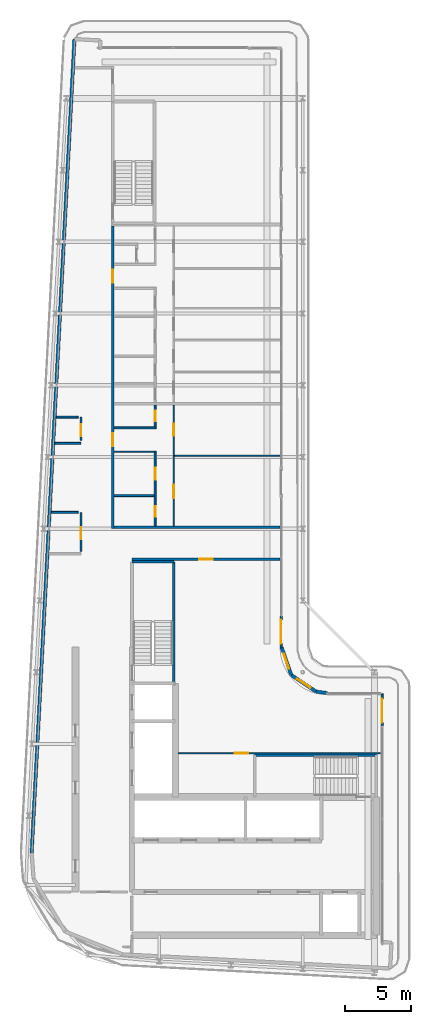
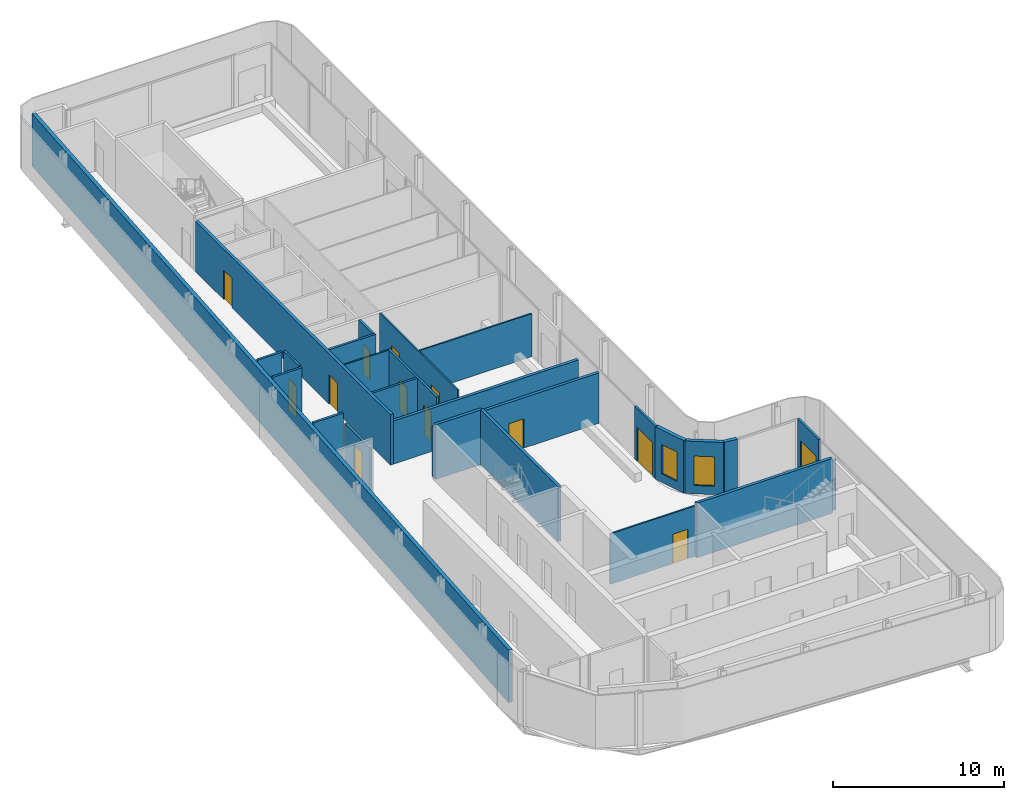
# One storey, part 10 of 19: 25 walls, 13 doors, 2 windows, 15 openings.
"""IFC4 building model written with IfcOpenShell, lengths in metres."""

import ifcopenshell
import ifcopenshell.guid

model = None  # the IFC model being written
_history = None  # IfcOwnerHistory: only IFC2X3 demands one
_inside = {}  # id of a spatial element -> (the spatial element, [elements in it])
_under = {}  # id of a project, library or spatial element -> (it, [spatial elements below it])
_declared = {}  # id of a project -> (the project, [libraries it declares])
_typed = {}  # id of a type object -> (the type object, [elements of that type])
_made_of = {}  # id of a material, layer set ... -> (it, [elements and type objects made of it])


def new_model(schema):
    """Start an empty IFC model of exactly this schema.

    Asked for "IFC4X3", IfcOpenShell would pick the latest addendum, in which some entities
    have other attributes; the version numbers below select the first issue.
    IFC2X3 requires an IfcOwnerHistory on every rooted entity: one is made here for all.
    """
    global model, _history
    if schema == "IFC4X3":
        model = ifcopenshell.file(schema_version=(4, 3, 0, 0))
    else:
        model = ifcopenshell.file(schema=schema)
    _inside.clear()
    _under.clear()
    _declared.clear()
    _typed.clear()
    _made_of.clear()
    _history = None
    if model.schema == "IFC2X3":
        org = make("IfcOrganization", Name="unknown")
        user = make(
            "IfcPersonAndOrganization",
            ThePerson=make("IfcPerson", FamilyName="unknown"),
            TheOrganization=org,
        )
        app = make(
            "IfcApplication",
            ApplicationDeveloper=org,
            Version="unknown",
            ApplicationFullName="unknown",
            ApplicationIdentifier="unknown",
        )
        _history = make(
            "IfcOwnerHistory",
            OwningUser=user,
            OwningApplication=app,
            ChangeAction="ADDED",
            CreationDate=0,
        )
    return model


def make(cls, **values):
    """One entity of the class cls with the attributes given. An attribute that is None is left unset."""
    return model.create_entity(
        cls, **{name: value for name, value in values.items() if value is not None}
    )


def rooted(cls, **values):
    """An entity with a GlobalId (a new one), such as an element, a storey or a relation."""
    return make(cls, GlobalId=ifcopenshell.guid.new(), OwnerHistory=_history, **values)


def si_unit(unit_type, name, prefix=None):
    """IfcSIUnit, for example si_unit("LENGTHUNIT", "METRE", prefix="MILLI")."""
    return make("IfcSIUnit", UnitType=unit_type, Prefix=prefix, Name=name)


def assignment(units):
    """IfcUnitAssignment: the units of a project."""
    return None if units is None else make("IfcUnitAssignment", Units=units)


def point(xyz):
    """IfcCartesianPoint."""
    return None if xyz is None else make("IfcCartesianPoint", Coordinates=xyz)


def direction(xyz):
    """IfcDirection."""
    return None if xyz is None else make("IfcDirection", DirectionRatios=xyz)


def frame(location, z_axis=None, x_axis=None):
    """IfcAxis2Placement3D, a coordinate frame: its origin and axes. An axis left out is left unset."""
    return make(
        "IfcAxis2Placement3D",
        Location=point(location),
        Axis=direction(z_axis),
        RefDirection=direction(x_axis),
    )


def frame_2d(location, x_axis=None):
    """IfcAxis2Placement2D, a coordinate frame in the plane: its origin and x axis."""
    return make(
        "IfcAxis2Placement2D", Location=point(location), RefDirection=direction(x_axis)
    )


def origin():
    """The frame at (0, 0, 0) with its axes left unset."""
    return frame((0.0, 0.0, 0.0))


def place(relative_to, where):
    """IfcLocalPlacement: puts the frame where relative to a parent placement (None: the world)."""
    return make(
        "IfcLocalPlacement", PlacementRelTo=relative_to, RelativePlacement=where
    )


def context(
    kind, dimensions, precision=None, world=None, true_north=None, identifier=None
):
    """IfcGeometricRepresentationContext, for example the 3D "Model" context."""
    return make(
        "IfcGeometricRepresentationContext",
        ContextIdentifier=identifier,
        ContextType=kind,
        CoordinateSpaceDimension=dimensions,
        Precision=precision,
        WorldCoordinateSystem=world,
        TrueNorth=true_north,
    )


def subcontext(parent, identifier, kind, view, scale=None):
    """IfcGeometricRepresentationSubContext, for example "Body" below "Model"."""
    return make(
        "IfcGeometricRepresentationSubContext",
        ContextIdentifier=identifier,
        ContextType=kind,
        ParentContext=parent,
        TargetScale=scale,
        TargetView=view,
    )


def project(units=None, contexts=None):
    """IfcProject with its units and contexts."""
    return rooted(
        "IfcProject",
        Name="project",
        RepresentationContexts=contexts,
        UnitsInContext=assignment(units),
    )


def spatial(cls, under=None, at=None, **own):
    """A site, building, storey or space (cls), placed at a placement, below another one or the project."""
    s = rooted(cls, ObjectPlacement=at, **own)
    if under is not None:
        _under.setdefault(under.id(), (under, []))[1].append(s)
    return s


def profile(cls, at=None, kind="AREA", **sizes):
    """A parametric profile (cls). Its sizes go by their IFC names, for example OverallWidth=200.0."""
    return make(cls, ProfileType=kind, Position=at, **sizes)


def rectangle(**sizes):
    """IfcRectangleProfileDef."""
    return profile("IfcRectangleProfileDef", **sizes)


def extrude(swept, where, along, depth):
    """IfcExtrudedAreaSolid: the profile swept, set in the frame where, extruded along a direction by depth."""
    return make(
        "IfcExtrudedAreaSolid",
        SweptArea=swept,
        Position=where,
        ExtrudedDirection=direction(along),
        Depth=depth,
    )


def shape(context_of_items, identifier, shape_type, items):
    """IfcShapeRepresentation: the items that make up one representation, for example the "Body"."""
    return make(
        "IfcShapeRepresentation",
        ContextOfItems=context_of_items,
        RepresentationIdentifier=identifier,
        RepresentationType=shape_type,
        Items=items,
    )


def source(mapping_origin, context_of_items, identifier, shape_type, items):
    """IfcRepresentationMap: a shape defined once, which mapped items show again and again."""
    return make(
        "IfcRepresentationMap",
        MappingOrigin=mapping_origin,
        MappedRepresentation=shape(context_of_items, identifier, shape_type, items),
    )


def transform(
    local_origin,
    x_axis=None,
    y_axis=None,
    z_axis=None,
    scale=None,
    scale2=None,
    scale3=None,
    uniform=True,
):
    """IfcCartesianTransformationOperator3D, or its non-uniform kind. x_axis, y_axis, z_axis: its Axis1, 2, 3."""
    if uniform:
        return make(
            "IfcCartesianTransformationOperator3D",
            Axis1=direction(x_axis),
            Axis2=direction(y_axis),
            LocalOrigin=point(local_origin),
            Scale=scale,
            Axis3=direction(z_axis),
        )
    return make(
        "IfcCartesianTransformationOperator3DnonUniform",
        Axis1=direction(x_axis),
        Axis2=direction(y_axis),
        LocalOrigin=point(local_origin),
        Scale=scale,
        Axis3=direction(z_axis),
        Scale2=scale2,
        Scale3=scale3,
    )


def mapped(mapping_source, mapping_target):
    """IfcMappedItem: shows the shape of a source again, moved by a transform."""
    return make(
        "IfcMappedItem", MappingSource=mapping_source, MappingTarget=mapping_target
    )


def material(Name=None, Category=None):
    """IfcMaterial."""
    return make("IfcMaterial", Name=Name, Category=Category)


def layer(
    of_material, thickness, ventilated=None, Name=None, Category=None, Priority=None
):
    """IfcMaterialLayer: one layer of a wall or slab, of a material (None: an air gap)."""
    return make(
        "IfcMaterialLayer",
        Material=of_material,
        LayerThickness=thickness,
        IsVentilated=ventilated,
        Name=Name,
        Category=Category,
        Priority=Priority,
    )


def layer_set(layers, Name=None):
    """IfcMaterialLayerSet."""
    return make("IfcMaterialLayerSet", MaterialLayers=layers, LayerSetName=Name)


def made_of(thing, what):
    """Note that an element or type object is made of a material, layer set ...; save() writes the relation."""
    if what is not None:
        _made_of.setdefault(what.id(), (what, []))[1].append(thing)
    return thing


def type_object(cls, material=None, **own):
    """A type object (cls), such as IfcWallType, which elements share."""
    return made_of(rooted(cls, **own), material)


def element(
    cls,
    number,
    at=None,
    inside=None,
    cuts=None,
    type_object=None,
    material=None,
    context=None,
    identifier="Body",
    shape_type=None,
    held_by="IfcProductDefinitionShape",
    body=None,
    shapes=None,
    **own,
):
    """One element of the class cls, such as IfcWall. Its Tag is "e" and its number.

    at: its placement. inside: the storey or other place that contains it. cuts: it is an
    opening in that element (IfcRelVoidsElement). A single representation is given by context,
    identifier, shape_type and body (its items); several are given by shapes. held_by: the class
    of the entity that holds the representations. save() writes the other relations.
    """
    e = rooted(cls, Tag="e%d" % number, ObjectPlacement=at, **own)
    if body is not None:
        shapes = [shape(context, identifier, shape_type, body)]
    if shapes is not None:
        e.Representation = make(held_by, Representations=shapes)
    if inside is not None:
        _inside.setdefault(inside.id(), (inside, []))[1].append(e)
    if cuts is not None:
        rooted(
            "IfcRelVoidsElement", RelatingBuildingElement=cuts, RelatedOpeningElement=e
        )
    if type_object is not None:
        _typed.setdefault(type_object.id(), (type_object, []))[1].append(e)
    return made_of(e, material)


def fill(opening, filler):
    """IfcRelFillsElement: the door or window that sits in an opening."""
    return rooted(
        "IfcRelFillsElement",
        RelatingOpeningElement=opening,
        RelatedBuildingElement=filler,
    )


def aggregate(whole, parts):
    """IfcRelAggregates: a whole, such as a stair, and the parts it consists of."""
    return rooted("IfcRelAggregates", RelatingObject=whole, RelatedObjects=parts)


def save(model, path):
    """Write the relations noted so far, then the file.

    IfcRelAggregates (storeys below a building ...), IfcRelContainedInSpatialStructure (elements
    in a storey), IfcRelDefinesByType, IfcRelAssociatesMaterial and IfcRelDeclares: one each for
    every whole, place, type object, material and project.
    """
    for whole, parts in _under.values():
        aggregate(whole, parts)
    for where, things in _inside.values():
        rooted(
            "IfcRelContainedInSpatialStructure",
            RelatedElements=things,
            RelatingStructure=where,
        )
    for kind, things in _typed.values():
        rooted("IfcRelDefinesByType", RelatedObjects=things, RelatingType=kind)
    for what, things in _made_of.values():
        rooted("IfcRelAssociatesMaterial", RelatedObjects=things, RelatingMaterial=what)
    for by, libraries in _declared.values():
        rooted("IfcRelDeclares", RelatingContext=by, RelatedDefinitions=libraries)
    model.write(path)


model = new_model("IFC4")

# Units and contexts
model_context = context("Model", 3, precision=1e-05, world=origin(), true_north=direction((0.0, 1.0)))
body_context = subcontext(model_context, "Body", "Model", "MODEL_VIEW")
ifc_project = project(units=[si_unit("LENGTHUNIT", "METRE"), si_unit("AREAUNIT", "SQUARE_METRE"), si_unit("VOLUMEUNIT", "CUBIC_METRE"), si_unit("PLANEANGLEUNIT", "RADIAN"), si_unit("MASSUNIT", "GRAM", prefix="KILO")], contexts=[model_context])

# Site, building, storey
site_placement = place(None, origin())
site = spatial("IfcSite", under=ifc_project, at=site_placement, CompositionType="ELEMENT")
building_placement = place(site_placement, origin())
building = spatial("IfcBuilding", under=site, at=building_placement, Name="Kheshtan School and Residences Tower", CompositionType="ELEMENT")
storey_placement = place(building_placement, frame((0.0, 0.0, 353.89990234375)))
storey = spatial("IfcBuildingStorey", under=building, at=storey_placement, Name="L83", CompositionType="ELEMENT", Elevation=353.89990234375)

# Wall, openings, doors
ifc_material_1 = material(Name="Gypsum board on steel studs with fire boards", Category="steel")
ifc_layer_1 = layer(ifc_material_1, 0.199951171875)
ifc_layer_set_1 = layer_set([ifc_layer_1], Name="Corridor wall 200")
wall_type_1 = type_object("IfcWallType", Name="Corridor wall 200", PredefinedType="PARTITIONING", material=ifc_layer_set_1)
wall_1_placement = place(storey_placement, frame((33.300048828125, 56.39990234375, 0.0), z_axis=(0.0, 0.0, 1.0), x_axis=(0.0, 1.0, 0.0)))
wall_1 = element("IfcWall", 1, at=wall_1_placement, inside=storey, type_object=wall_type_1, Name="Partition L83-003", PredefinedType="PARTITIONING", context=body_context, shape_type="SweptSolid", body=[
    extrude(rectangle(XDim=22.800048828125, YDim=0.199951171875, at=frame_2d((11.39990234375, 0.0))), origin(), (0.0, 0.0, 1.0), 3.60009765625),
])
opening_1_placement = place(wall_1_placement, frame((6.199951171875, 0.0, 0.0)))
opening_1 = element("IfcOpeningElement", 2, at=opening_1_placement, cuts=wall_1, Name="Opening D83-003", PredefinedType="OPENING", context=body_context, shape_type="SweptSolid", body=[
    extrude(rectangle(XDim=1.0, YDim=2.10009765625, at=frame_2d((0.5, 1.050048828125))), frame((0.0, 0.10986328125, 0.0), z_axis=(0.0, -1.0, 0.0), x_axis=(1.0, 0.0, 0.0)), (0.0, 0.0, 1.0), 0.219970703125),
])
opening_2_placement = place(wall_1_placement, frame((18.5, 0.0, 0.0)))
opening_2 = element("IfcOpeningElement", 3, at=opening_2_placement, cuts=wall_1, Name="Opening D83-011", PredefinedType="OPENING", context=body_context, shape_type="SweptSolid", body=[
    extrude(rectangle(XDim=1.0, YDim=2.10009765625, at=frame_2d((0.5, 1.050048828125))), frame((0.0, 0.10986328125, 0.0), z_axis=(0.0, -1.0, 0.0), x_axis=(1.0, 0.0, 0.0)), (0.0, 0.0, 1.0), 0.219970703125),
])
ifc_material_2 = material(Name="Steel-framed fire-resisting door leaf", Category="steel")
door_type_1 = type_object("IfcDoorType", Name="Fire door FD30S 1000 x 2100", OperationType="SINGLE_SWING_LEFT", PredefinedType="DOOR", material=ifc_material_2)
shared_shape_1 = source(origin(), body_context, "Body", "SweptSolid", [
    extrude(rectangle(XDim=1.0, YDim=2.10009765625, at=frame_2d((0.5, 1.050048828125))), frame((0.0, 0.02490234375, 0.0), z_axis=(0.0, -1.0, 0.0), x_axis=(1.0, 0.0, 0.0)), (0.0, 0.0, 1.0), 0.050048828125),
])
door_1_placement = place(opening_1_placement, origin())
door_1 = element("IfcDoor", 4, at=door_1_placement, inside=storey, type_object=door_type_1, Name="Door D83-003", OperationType="SINGLE_SWING_LEFT", OverallHeight=2.10009765625, OverallWidth=1.0, PredefinedType="DOOR", context=body_context, shape_type="MappedRepresentation", body=[
    mapped(shared_shape_1, transform((0.0, 0.0, 0.0), x_axis=(1.0, 0.0, 0.0), y_axis=(0.0, 1.0, 0.0), z_axis=(0.0, 0.0, 1.0), scale=1.0)),
])
fill(opening_1, door_1)
door_2_placement = place(opening_2_placement, origin())
door_2 = element("IfcDoor", 5, at=door_2_placement, inside=storey, type_object=door_type_1, Name="Door D83-011", OperationType="SINGLE_SWING_RIGHT", OverallHeight=2.10009765625, OverallWidth=1.0, PredefinedType="DOOR", context=body_context, shape_type="MappedRepresentation", body=[
    mapped(shared_shape_1, transform((0.0, 0.0, 0.0), x_axis=(1.0, 0.0, 0.0), y_axis=(0.0, 1.0, 0.0), z_axis=(0.0, 0.0, 1.0), scale=1.0)),
])
fill(opening_2, door_2)

# Wall
wall_2_placement = place(storey_placement, frame((33.39990234375, 56.5, 0.0), z_axis=(0.0, 0.0, 1.0), x_axis=(1.0, 0.0, 0.0)))
element("IfcWall", 6, at=wall_2_placement, inside=storey, type_object=wall_type_1, Name="Partition L83-005", PredefinedType="PARTITIONING", context=body_context, shape_type="SweptSolid", body=[
    extrude(rectangle(XDim=12.5, YDim=0.199951171875, at=frame_2d((6.25, 0.0))), origin(), (0.0, 0.0, 1.0), 3.072021484375),
])

# Wall, opening, door
wall_3_placement = place(storey_placement, frame((34.75, 54.10009765625, 0.0), z_axis=(0.0, 0.0, 1.0), x_axis=(1.0, 0.0, 0.0)))
wall_3 = element("IfcWall", 7, at=wall_3_placement, inside=storey, type_object=wall_type_1, Name="Partition L83-018", PredefinedType="PARTITIONING", context=body_context, shape_type="SweptSolid", body=[
    extrude(rectangle(XDim=11.14990234375, YDim=0.199951171875, at=frame_2d((5.574951171875, 0.0))), origin(), (0.0, 0.0, 1.0), 3.60009765625),
])
opening_3_placement = place(wall_3_placement, frame((5.074951171875, 0.0, 0.0)))
opening_3 = element("IfcOpeningElement", 8, at=opening_3_placement, cuts=wall_3, Name="Opening D83-020", PredefinedType="OPENING", context=body_context, shape_type="SweptSolid", body=[
    extrude(rectangle(XDim=1.0, YDim=2.10009765625, at=frame_2d((0.5, 1.050048828125))), frame((0.0, 0.10986328125, 0.0), z_axis=(0.0, -1.0, 0.0), x_axis=(1.0, 0.0, 0.0)), (0.0, 0.0, 1.0), 0.219970703125),
])
door_type_2 = type_object("IfcDoorType", Name="Fire door FD60 1000 x 2100", OperationType="SINGLE_SWING_LEFT", PredefinedType="DOOR", material=ifc_material_2)
shared_shape_2 = source(origin(), body_context, "Body", "SweptSolid", [
    extrude(rectangle(XDim=1.0, YDim=2.10009765625, at=frame_2d((0.5, 1.050048828125))), frame((0.0, 0.02490234375, 0.0), z_axis=(0.0, -1.0, 0.0), x_axis=(1.0, 0.0, 0.0)), (0.0, 0.0, 1.0), 0.050048828125),
])
door_3_placement = place(opening_3_placement, origin())
door_3 = element("IfcDoor", 9, at=door_3_placement, inside=storey, type_object=door_type_2, Name="Door D83-020", OperationType="SINGLE_SWING_RIGHT", OverallHeight=2.10009765625, OverallWidth=1.0, PredefinedType="DOOR", context=body_context, shape_type="MappedRepresentation", body=[
    mapped(shared_shape_2, transform((0.0, 0.0, 0.0), x_axis=(1.0, 0.0, 0.0), y_axis=(0.0, 1.0, 0.0), z_axis=(0.0, 0.0, 1.0), scale=1.0)),
])
fill(opening_3, door_3)

# Wall, opening, window
ifc_material_3 = material(Name="Concrete C40/50 with ceramic cladding and mineral wool insulation", Category="concrete")
ifc_layer_2 = layer(ifc_material_3, 0.25)
ifc_layer_set_2 = layer_set([ifc_layer_2], Name="External wall 250 ceramic clad")
wall_type_2 = type_object("IfcWallType", Name="External wall 250 ceramic clad", PredefinedType="SOLIDWALL", material=ifc_layer_set_2)
wall_4_placement = place(storey_placement, frame((46.01806640625, 47.470947265625, 0.0), z_axis=(0.0, 0.0, 1.0), x_axis=(0.328791208903, -0.944402637093, 0.0)))
wall_4 = element("IfcWall", 10, at=wall_4_placement, inside=storey, type_object=wall_type_2, Name="External wall L83 5", PredefinedType="SOLIDWALL", context=body_context, shape_type="SweptSolid", body=[
    extrude(rectangle(XDim=2.20458984375, YDim=0.25, at=frame_2d((1.102294921875, 0.0))), origin(), (0.0, 0.0, 1.0), 3.75),
])
opening_4_placement = place(wall_4_placement, frame((0.5029296875, 0.0, 0.60009765625)))
opening_4 = element("IfcOpeningElement", 11, at=opening_4_placement, cuts=wall_4, Name="Opening WN-E", PredefinedType="OPENING", context=body_context, shape_type="SweptSolid", body=[
    extrude(rectangle(XDim=1.199951171875, YDim=2.10009765625, at=frame_2d((0.60009765625, 1.050048828125))), frame((0.0, 0.135009765625, 0.0), z_axis=(0.0, -1.0, 0.0), x_axis=(1.0, 0.0, 0.0)), (0.0, 0.0, 1.0), 0.27001953125),
])
ifc_material_4 = material(Name="Clear low-e glass in thermally broken aluminium frame", Category="aluminium")
window_type = type_object("IfcWindowType", Name="Window WN-E", PartitioningType="SINGLE_PANEL", PredefinedType="WINDOW", material=ifc_material_4)
shared_shape_3 = source(origin(), body_context, "Body", "SweptSolid", [
    extrude(rectangle(XDim=1.199951171875, YDim=2.10009765625, at=frame_2d((0.60009765625, 1.050048828125))), frame((0.0, 0.030029296875, 0.0), z_axis=(0.0, -1.0, 0.0), x_axis=(1.0, 0.0, 0.0)), (0.0, 0.0, 1.0), 0.06005859375),
])
window_1_placement = place(opening_4_placement, origin())
window_1 = element("IfcWindow", 12, at=window_1_placement, inside=storey, type_object=window_type, Name="Window L83 5", OverallHeight=2.10009765625, OverallWidth=1.199951171875, PartitioningType="SINGLE_PANEL", PredefinedType="WINDOW", context=body_context, shape_type="MappedRepresentation", body=[
    mapped(shared_shape_3, transform((0.0, 0.0, 0.0), x_axis=(1.0, 0.0, 0.0), y_axis=(0.0, 1.0, 0.0), z_axis=(0.0, 0.0, 1.0), scale=1.0)),
])
fill(opening_4, window_1)

wall_5_placement = place(storey_placement, frame((46.742919921875, 45.388916015625, 0.0), z_axis=(0.0, 0.0, 1.0), x_axis=(0.831449265529, -0.555600682912, 0.0)))
wall_5 = element("IfcWall", 13, at=wall_5_placement, inside=storey, type_object=wall_type_2, Name="External wall L83 6", PredefinedType="SOLIDWALL", context=body_context, shape_type="SweptSolid", body=[
    extrude(rectangle(XDim=2.25146484375, YDim=0.25, at=frame_2d((1.125732421875, 0.0))), origin(), (0.0, 0.0, 1.0), 3.75),
])
opening_5_placement = place(wall_5_placement, frame((0.52490234375, 0.0, 0.60009765625)))
opening_5 = element("IfcOpeningElement", 14, at=opening_5_placement, cuts=wall_5, Name="Opening WN-E", PredefinedType="OPENING", context=body_context, shape_type="SweptSolid", body=[
    extrude(rectangle(XDim=1.199951171875, YDim=2.10009765625, at=frame_2d((0.60009765625, 1.050048828125))), frame((0.0, 0.135009765625, 0.0), z_axis=(0.0, -1.0, 0.0), x_axis=(1.0, 0.0, 0.0)), (0.0, 0.0, 1.0), 0.27001953125),
])
window_2_placement = place(opening_5_placement, origin())
window_2 = element("IfcWindow", 15, at=window_2_placement, inside=storey, type_object=window_type, Name="Window L83 6", OverallHeight=2.10009765625, OverallWidth=1.199951171875, PartitioningType="SINGLE_PANEL", PredefinedType="WINDOW", context=body_context, shape_type="MappedRepresentation", body=[
    mapped(shared_shape_3, transform((0.0, 0.0, 0.0), x_axis=(1.0, 0.0, 0.0), y_axis=(0.0, 1.0, 0.0), z_axis=(0.0, 0.0, 1.0), scale=1.0)),
])
fill(opening_5, window_2)

# Walls
wall_6_placement = place(storey_placement, frame((48.614990234375, 44.137939453125, 0.0), z_axis=(0.0, 0.0, 1.0), x_axis=(0.990741504246, -0.135761819977, 0.0)))
element("IfcWall", 16, at=wall_6_placement, inside=storey, type_object=wall_type_2, Name="External wall L83 7", PredefinedType="SOLIDWALL", context=body_context, shape_type="SweptSolid", body=[
    extrude(rectangle(XDim=0.83984375, YDim=0.25, at=frame_2d((0.419921875, 0.0))), origin(), (0.0, 0.0, 1.0), 3.75),
])
wall_7_placement = place(storey_placement, frame((27.195068359375, 31.968994140625, 0.0), z_axis=(0.0, 0.0, 1.0), x_axis=(0.052555284099, 0.998618016117, 0.0)))
element("IfcWall", 17, at=wall_7_placement, inside=storey, type_object=wall_type_2, Name="External wall L83 16", PredefinedType="SOLIDWALL", context=body_context, shape_type="SweptSolid", body=[
    extrude(rectangle(XDim=61.379638671875, YDim=0.25, at=frame_2d((30.68994140625, 0.0))), origin(), (0.0, 0.0, 1.0), 3.75),
])

# Wall, opening, door
ifc_material_5 = material(Name="Aluminium frame wall with insulated infill", Category="aluminium")
ifc_layer_3 = layer(ifc_material_5, 0.14990234375)
ifc_layer_set_3 = layer_set([ifc_layer_3], Name="Glazing frame wall 150")
wall_type_3 = type_object("IfcWallType", Name="Glazing frame wall 150", PredefinedType="SOLIDWALL", material=ifc_layer_set_3)
wall_8_placement = place(storey_placement, frame((45.97509765625, 49.830078125, 0.0), z_axis=(0.0, 0.0, 1.0), x_axis=(0.0, -1.0, 0.0)))
wall_8 = element("IfcWall", 18, at=wall_8_placement, inside=storey, type_object=wall_type_3, Name="Balcony door wall L83 4.4", PredefinedType="SOLIDWALL", context=body_context, shape_type="SweptSolid", body=[
    extrude(rectangle(XDim=2.400146484375, YDim=0.14990234375, at=frame_2d((1.2001953125, 0.0))), origin(), (0.0, 0.0, 1.0), 3.75),
])
opening_6_placement = place(wall_8_placement, frame((0.300048828125, 0.0, 0.0)))
opening_6 = element("IfcOpeningElement", 19, at=opening_6_placement, cuts=wall_8, Name="Opening BD", PredefinedType="OPENING", context=body_context, shape_type="SweptSolid", body=[
    extrude(rectangle(XDim=1.800048828125, YDim=2.39990234375, at=frame_2d((0.89990234375, 1.199951171875))), frame((0.0, 0.0849609375, 0.0), z_axis=(0.0, -1.0, 0.0), x_axis=(1.0, 0.0, 0.0)), (0.0, 0.0, 1.0), 0.169921875),
])
door_type_3 = type_object("IfcDoorType", Name="Balcony sliding door", OperationType="SLIDING_TO_LEFT", PredefinedType="DOOR", material=ifc_material_4)
shared_shape_4 = source(origin(), body_context, "Body", "SweptSolid", [
    extrude(rectangle(XDim=1.800048828125, YDim=2.39990234375, at=frame_2d((0.89990234375, 1.199951171875))), frame((0.0, 0.02490234375, 0.0), z_axis=(0.0, -1.0, 0.0), x_axis=(1.0, 0.0, 0.0)), (0.0, 0.0, 1.0), 0.050048828125),
])
door_4_placement = place(opening_6_placement, origin())
door_4 = element("IfcDoor", 20, at=door_4_placement, inside=storey, type_object=door_type_3, Name="Balcony door L83 4.4", OperationType="SLIDING_TO_LEFT", OverallHeight=2.39990234375, OverallWidth=1.800048828125, PredefinedType="DOOR", context=body_context, shape_type="MappedRepresentation", body=[
    mapped(shared_shape_4, transform((0.0, 0.0, 0.0), x_axis=(1.0, 0.0, 0.0), y_axis=(0.0, 1.0, 0.0), z_axis=(0.0, 0.0, 1.0), scale=1.0)),
])
fill(opening_6, door_4)

wall_9_placement = place(storey_placement, frame((53.574951171875, 43.970947265625, 0.0), z_axis=(0.0, 0.0, 1.0), x_axis=(0.0, -1.0, 0.0)))
wall_9 = element("IfcWall", 21, at=wall_9_placement, inside=storey, type_object=wall_type_3, Name="Balcony door wall L83 9.1", PredefinedType="SOLIDWALL", context=body_context, shape_type="SweptSolid", body=[
    extrude(rectangle(XDim=2.470947265625, YDim=0.14990234375, at=frame_2d((1.2353515625, 0.0))), origin(), (0.0, 0.0, 1.0), 3.75),
])
opening_7_placement = place(wall_9_placement, frame((0.37109375, 0.0, 0.0)))
opening_7 = element("IfcOpeningElement", 22, at=opening_7_placement, cuts=wall_9, Name="Opening BD", PredefinedType="OPENING", context=body_context, shape_type="SweptSolid", body=[
    extrude(rectangle(XDim=1.800048828125, YDim=2.39990234375, at=frame_2d((0.89990234375, 1.199951171875))), frame((0.0, 0.0849609375, 0.0), z_axis=(0.0, -1.0, 0.0), x_axis=(1.0, 0.0, 0.0)), (0.0, 0.0, 1.0), 0.169921875),
])
door_5_placement = place(opening_7_placement, origin())
door_5 = element("IfcDoor", 23, at=door_5_placement, inside=storey, type_object=door_type_3, Name="Balcony door L83 9.1", OperationType="SLIDING_TO_LEFT", OverallHeight=2.39990234375, OverallWidth=1.800048828125, PredefinedType="DOOR", context=body_context, shape_type="MappedRepresentation", body=[
    mapped(shared_shape_4, transform((0.0, 0.0, 0.0), x_axis=(1.0, 0.0, 0.0), y_axis=(0.0, 1.0, 0.0), z_axis=(0.0, 0.0, 1.0), scale=1.0)),
])
fill(opening_7, door_5)

# Wall
ifc_material_6 = material(Name="Gypsum board on steel studs", Category="steel")
ifc_layer_4 = layer(ifc_material_6, 0.10009765625)
ifc_layer_set_4 = layer_set([ifc_layer_4], Name="Gypsum partition 100")
wall_type_4 = type_object("IfcWallType", Name="Gypsum partition 100", PredefinedType="PARTITIONING", material=ifc_layer_set_4)
wall_10_placement = place(storey_placement, frame((33.39990234375, 62.199951171875, 0.0), z_axis=(0.0, 0.0, 1.0), x_axis=(1.0, 0.0, 0.0)))
element("IfcWall", 24, at=wall_10_placement, inside=storey, type_object=wall_type_4, Name="Partition L83-007", PredefinedType="PARTITIONING", context=body_context, shape_type="SweptSolid", body=[
    extrude(rectangle(XDim=3.025146484375, YDim=0.10009765625, at=frame_2d((1.5126953125, 0.0))), origin(), (0.0, 0.0, 1.0), 3.60009765625),
])

# Wall, openings, doors
wall_11_placement = place(storey_placement, frame((37.89990234375, 56.60009765625, 0.0), z_axis=(0.0, 0.0, 1.0), x_axis=(0.0, 1.0, 0.0)))
wall_11 = element("IfcWall", 25, at=wall_11_placement, inside=storey, type_object=wall_type_4, Name="Partition L83-024", PredefinedType="PARTITIONING", context=body_context, shape_type="SweptSolid", body=[
    extrude(rectangle(XDim=9.099853515625, YDim=0.10009765625, at=frame_2d((4.5498046875, 0.0))), origin(), (0.0, 0.0, 1.0), 3.60009765625),
])
opening_8_placement = place(wall_11_placement, frame((6.800048828125, 0.0, 0.0)))
opening_8 = element("IfcOpeningElement", 26, at=opening_8_placement, cuts=wall_11, Name="Opening D83-002", PredefinedType="OPENING", context=body_context, shape_type="SweptSolid", body=[
    extrude(rectangle(XDim=0.89990234375, YDim=2.10009765625, at=frame_2d((0.449951171875, 1.050048828125))), frame((0.0, 0.06005859375, 0.0), z_axis=(0.0, -1.0, 0.0), x_axis=(1.0, 0.0, 0.0)), (0.0, 0.0, 1.0), 0.1201171875),
])
opening_9_placement = place(wall_11_placement, frame((2.10009765625, 0.0, 0.0)))
opening_9 = element("IfcOpeningElement", 27, at=opening_9_placement, cuts=wall_11, Name="Opening D83-005", PredefinedType="OPENING", context=body_context, shape_type="SweptSolid", body=[
    extrude(rectangle(XDim=1.0, YDim=2.10009765625, at=frame_2d((0.5, 1.050048828125))), frame((0.0, 0.06005859375, 0.0), z_axis=(0.0, -1.0, 0.0), x_axis=(1.0, 0.0, 0.0)), (0.0, 0.0, 1.0), 0.1201171875),
])
ifc_material_7 = material(Name="Veneered timber door leaf", Category="wood")
door_type_4 = type_object("IfcDoorType", Name="Door 1000 x 2100", OperationType="SINGLE_SWING_LEFT", PredefinedType="DOOR", material=ifc_material_7)
shared_shape_5 = source(origin(), body_context, "Body", "SweptSolid", [
    extrude(rectangle(XDim=1.0, YDim=2.10009765625, at=frame_2d((0.5, 1.050048828125))), frame((0.0, 0.02490234375, 0.0), z_axis=(0.0, -1.0, 0.0), x_axis=(1.0, 0.0, 0.0)), (0.0, 0.0, 1.0), 0.050048828125),
])
door_6_placement = place(opening_9_placement, origin())
door_6 = element("IfcDoor", 28, at=door_6_placement, inside=storey, type_object=door_type_4, Name="Door D83-005", OperationType="SINGLE_SWING_LEFT", OverallHeight=2.10009765625, OverallWidth=1.0, PredefinedType="DOOR", context=body_context, shape_type="MappedRepresentation", body=[
    mapped(shared_shape_5, transform((0.0, 0.0, 0.0), x_axis=(1.0, 0.0, 0.0), y_axis=(0.0, 1.0, 0.0), z_axis=(0.0, 0.0, 1.0), scale=1.0)),
])
fill(opening_9, door_6)
door_type_5 = type_object("IfcDoorType", Name="Door 900 x 2100", OperationType="SINGLE_SWING_LEFT", PredefinedType="DOOR", material=ifc_material_7)
shared_shape_6 = source(origin(), body_context, "Body", "SweptSolid", [
    extrude(rectangle(XDim=0.89990234375, YDim=2.10009765625, at=frame_2d((0.449951171875, 1.050048828125))), frame((0.0, 0.02490234375, 0.0), z_axis=(0.0, -1.0, 0.0), x_axis=(1.0, 0.0, 0.0)), (0.0, 0.0, 1.0), 0.050048828125),
])
door_7_placement = place(opening_8_placement, origin())
door_7 = element("IfcDoor", 29, at=door_7_placement, inside=storey, type_object=door_type_5, Name="Door D83-002", OperationType="SINGLE_SWING_RIGHT", OverallHeight=2.10009765625, OverallWidth=0.89990234375, PredefinedType="DOOR", context=body_context, shape_type="MappedRepresentation", body=[
    mapped(shared_shape_6, transform((0.0, 0.0, 0.0), x_axis=(1.0, 0.0, 0.0), y_axis=(0.0, 1.0, 0.0), z_axis=(0.0, 0.0, 1.0), scale=1.0)),
])
fill(opening_8, door_7)

# Wall
wall_12_placement = place(storey_placement, frame((37.949951171875, 61.89990234375, 0.0), z_axis=(0.0, 0.0, 1.0), x_axis=(1.0, 0.0, 0.0)))
element("IfcWall", 30, at=wall_12_placement, inside=storey, type_object=wall_type_4, Name="Partition L83-026", PredefinedType="PARTITIONING", context=body_context, shape_type="SweptSolid", body=[
    extrude(rectangle(XDim=7.949951171875, YDim=0.10009765625, at=frame_2d((3.97509765625, 0.0))), origin(), (0.0, 0.0, 1.0), 3.072021484375),
])

# Wall, opening, door
wall_13_placement = place(storey_placement, frame((38.2490234375, 39.5, 0.0), z_axis=(0.0, 0.0, 1.0), x_axis=(1.0, 0.0, 0.0)))
wall_13 = element("IfcWall", 31, at=wall_13_placement, inside=storey, type_object=wall_type_4, Name="Partition L83-031", PredefinedType="PARTITIONING", context=body_context, shape_type="SweptSolid", body=[
    extrude(rectangle(XDim=15.2509765625, YDim=0.10009765625, at=frame_2d((7.62548828125, 0.0))), origin(), (0.0, 0.0, 1.0), 3.60009765625),
])
opening_10_placement = place(wall_13_placement, frame((4.2470703125, 0.0, 0.0)))
opening_10 = element("IfcOpeningElement", 32, at=opening_10_placement, cuts=wall_13, Name="Opening D83-019", PredefinedType="OPENING", context=body_context, shape_type="SweptSolid", body=[
    extrude(rectangle(XDim=1.0, YDim=2.10009765625, at=frame_2d((0.5, 1.050048828125))), frame((0.0, 0.06005859375, 0.0), z_axis=(0.0, -1.0, 0.0), x_axis=(1.0, 0.0, 0.0)), (0.0, 0.0, 1.0), 0.1201171875),
])
door_8_placement = place(opening_10_placement, origin())
door_8 = element("IfcDoor", 33, at=door_8_placement, inside=storey, type_object=door_type_4, Name="Door D83-019", OperationType="SINGLE_SWING_LEFT", OverallHeight=2.10009765625, OverallWidth=1.0, PredefinedType="DOOR", context=body_context, shape_type="MappedRepresentation", body=[
    mapped(shared_shape_5, transform((0.0, 0.0, 0.0), x_axis=(1.0, 0.0, 0.0), y_axis=(0.0, 1.0, 0.0), z_axis=(0.0, 0.0, 1.0), scale=1.0)),
])
fill(opening_10, door_8)

ifc_material_8 = material(Name="Fire-board shaft wall system")
ifc_layer_5 = layer(ifc_material_8, 0.14990234375)
ifc_layer_set_5 = layer_set([ifc_layer_5], Name="Service room wall 150")
wall_type_5 = type_object("IfcWallType", Name="Service room wall 150", PredefinedType="PARTITIONING", material=ifc_layer_set_5)
wall_14_placement = place(storey_placement, frame((30.89990234375, 54.695068359375, 0.0), z_axis=(0.0, 0.0, 1.0), x_axis=(0.0, 1.0, 0.0)))
wall_14 = element("IfcWall", 34, at=wall_14_placement, inside=storey, type_object=wall_type_5, Name="Service room wall", PredefinedType="PARTITIONING", context=body_context, shape_type="SweptSolid", body=[
    extrude(rectangle(XDim=2.930908203125, YDim=0.14990234375, at=frame_2d((1.46533203125, 0.0))), origin(), (0.0, 0.0, 1.0), 3.072021484375),
])
opening_11_placement = place(wall_14_placement, frame((0.91796875, 0.0, 0.0)))
opening_11 = element("IfcOpeningElement", 35, at=opening_11_placement, cuts=wall_14, Name="Opening SR90", PredefinedType="OPENING", context=body_context, shape_type="SweptSolid", body=[
    extrude(rectangle(XDim=0.89990234375, YDim=2.199951171875, at=frame_2d((0.449951171875, 1.10009765625))), frame((0.0, 0.0849609375, 0.0), z_axis=(0.0, -1.0, 0.0), x_axis=(1.0, 0.0, 0.0)), (0.0, 0.0, 1.0), 0.169921875),
])
ifc_material_9 = material(Name="Steel door leaf, galvanised", Category="steel")
door_type_6 = type_object("IfcDoorType", Name="Service room door 900 steel 90 min", OperationType="SINGLE_SWING_LEFT", PredefinedType="DOOR", material=ifc_material_9)
shared_shape_7 = source(origin(), body_context, "Body", "SweptSolid", [
    extrude(rectangle(XDim=0.89990234375, YDim=2.199951171875, at=frame_2d((0.449951171875, 1.10009765625))), frame((0.0, 0.02490234375, 0.0), z_axis=(0.0, -1.0, 0.0), x_axis=(1.0, 0.0, 0.0)), (0.0, 0.0, 1.0), 0.050048828125),
])
door_9_placement = place(opening_11_placement, origin())
door_9 = element("IfcDoor", 36, at=door_9_placement, inside=storey, type_object=door_type_6, Name="Service room door", OperationType="SINGLE_SWING_LEFT", OverallHeight=2.199951171875, OverallWidth=0.89990234375, PredefinedType="DOOR", context=body_context, shape_type="MappedRepresentation", body=[
    mapped(shared_shape_7, transform((0.0, 0.0, 0.0), x_axis=(1.0, 0.0, 0.0), y_axis=(0.0, 1.0, 0.0), z_axis=(0.0, 0.0, 1.0), scale=1.0)),
])
fill(opening_11, door_9)

# Walls
wall_15_placement = place(storey_placement, frame((28.673095703125, 57.6259765625, 0.0), z_axis=(0.0, 0.0, 1.0), x_axis=(1.0, 0.0, 0.0)))
element("IfcWall", 37, at=wall_15_placement, inside=storey, type_object=wall_type_5, Name="Service room wall", PredefinedType="PARTITIONING", context=body_context, shape_type="SweptSolid", body=[
    extrude(rectangle(XDim=2.031982421875, YDim=0.14990234375, at=frame_2d((1.01611328125, 0.0))), origin(), (0.0, 0.0, 1.0), 3.900146484375),
])
wall_16_placement = place(storey_placement, frame((28.947021484375, 62.8330078125, 0.0), z_axis=(0.0, 0.0, 1.0), x_axis=(1.0, 0.0, 0.0)))
element("IfcWall", 38, at=wall_16_placement, inside=storey, type_object=wall_type_5, Name="Service room wall", PredefinedType="PARTITIONING", context=body_context, shape_type="SweptSolid", body=[
    extrude(rectangle(XDim=1.952880859375, YDim=0.14990234375, at=frame_2d((0.9765625, 0.0))), origin(), (0.0, 0.0, 1.0), 3.900146484375),
])

# Wall, opening, door
wall_17_placement = place(storey_placement, frame((30.89990234375, 63.028076171875, 0.0), z_axis=(0.0, 0.0, 1.0), x_axis=(0.0, 1.0, 0.0)))
wall_17 = element("IfcWall", 39, at=wall_17_placement, inside=storey, type_object=wall_type_5, Name="Service room wall", PredefinedType="PARTITIONING", context=body_context, shape_type="SweptSolid", body=[
    extrude(rectangle(XDim=1.77197265625, YDim=0.14990234375, at=frame_2d((0.885986328125, 0.0))), origin(), (0.0, 0.0, 1.0), 3.900146484375),
])
opening_12_placement = place(wall_17_placement, frame((0.337890625, 0.0, 0.0)))
opening_12 = element("IfcOpeningElement", 40, at=opening_12_placement, cuts=wall_17, Name="Opening SR90", PredefinedType="OPENING", context=body_context, shape_type="SweptSolid", body=[
    extrude(rectangle(XDim=0.89990234375, YDim=2.199951171875, at=frame_2d((0.449951171875, 1.10009765625))), frame((0.0, 0.0849609375, 0.0), z_axis=(0.0, -1.0, 0.0), x_axis=(1.0, 0.0, 0.0)), (0.0, 0.0, 1.0), 0.169921875),
])
door_10_placement = place(opening_12_placement, origin())
door_10 = element("IfcDoor", 41, at=door_10_placement, inside=storey, type_object=door_type_6, Name="Service room door", OperationType="SINGLE_SWING_LEFT", OverallHeight=2.199951171875, OverallWidth=0.89990234375, PredefinedType="DOOR", context=body_context, shape_type="MappedRepresentation", body=[
    mapped(shared_shape_7, transform((0.0, 0.0, 0.0), x_axis=(1.0, 0.0, 0.0), y_axis=(0.0, 1.0, 0.0), z_axis=(0.0, 0.0, 1.0), scale=1.0)),
])
fill(opening_12, door_10)

# Walls
wall_18_placement = place(storey_placement, frame((29.051025390625, 64.800048828125, 0.0), z_axis=(0.0, 0.0, 1.0), x_axis=(1.0, 0.0, 0.0)))
element("IfcWall", 42, at=wall_18_placement, inside=storey, type_object=wall_type_5, Name="Service room wall", PredefinedType="PARTITIONING", context=body_context, shape_type="SweptSolid", body=[
    extrude(rectangle(XDim=1.654052734375, YDim=0.14990234375, at=frame_2d((0.8271484375, 0.0))), origin(), (0.0, 0.0, 1.0), 3.900146484375),
])
ifc_material_10 = material(Name="Concrete C40/50", Category="concrete")
ifc_layer_6 = layer(ifc_material_10, 0.199951171875)
ifc_layer_set_6 = layer_set([ifc_layer_6], Name="Stair enclosure wall 200 Concrete C40/50")
wall_type_6 = type_object("IfcWallType", Name="Stair enclosure wall 200 Concrete C40/50", PredefinedType="SHEAR", material=ifc_layer_set_6)
wall_19_placement = place(storey_placement, frame((43.989990234375, 39.35009765625, 0.0), z_axis=(0.0, 0.0, 1.0), x_axis=(1.0, 0.0, 0.0)))
element("IfcWall", 43, at=wall_19_placement, inside=storey, type_object=wall_type_6, Name="Stair enclosure wall ST1", PredefinedType="SHEAR", context=body_context, shape_type="SweptSolid", body=[
    extrude(rectangle(XDim=9.159912109375, YDim=0.199951171875, at=frame_2d((4.580078125, 0.0))), origin(), (0.0, 0.0, 1.0), 3.900146484375),
])
wall_20_placement = place(storey_placement, frame((34.75, 53.909912109375, 0.0), z_axis=(0.0, 0.0, 1.0), x_axis=(1.0, 0.0, 0.0)))
element("IfcWall", 44, at=wall_20_placement, inside=storey, type_object=wall_type_6, Name="Stair enclosure wall ST2", PredefinedType="SHEAR", context=body_context, shape_type="SweptSolid", body=[
    extrude(rectangle(XDim=3.14990234375, YDim=0.199951171875, at=frame_2d((1.574951171875, 0.0))), origin(), (0.0, 0.0, 1.0), 3.900146484375),
])
wall_21_placement = place(storey_placement, frame((37.89990234375, 44.75, 0.0), z_axis=(0.0, 0.0, 1.0), x_axis=(0.0, 1.0, 0.0)))
element("IfcWall", 45, at=wall_21_placement, inside=storey, type_object=wall_type_6, Name="Stair enclosure wall ST2", PredefinedType="SHEAR", context=body_context, shape_type="SweptSolid", body=[
    extrude(rectangle(XDim=9.159912109375, YDim=0.199951171875, at=frame_2d((4.580078125, 0.0))), origin(), (0.0, 0.0, 1.0), 3.900146484375),
])
ifc_material_11 = material(Name="Moisture-resistant gypsum board on steel studs", Category="steel")
ifc_layer_7 = layer(ifc_material_11, 0.14990234375)
ifc_layer_set_7 = layer_set([ifc_layer_7], Name="Wet-room partition 150")
wall_type_7 = type_object("IfcWallType", Name="Wet-room partition 150", PredefinedType="PARTITIONING", material=ifc_layer_set_7)
wall_22_placement = place(storey_placement, frame((33.39990234375, 58.89990234375, 0.0), z_axis=(0.0, 0.0, 1.0), x_axis=(1.0, 0.0, 0.0)))
element("IfcWall", 46, at=wall_22_placement, inside=storey, type_object=wall_type_7, Name="Partition L83-006", PredefinedType="PARTITIONING", context=body_context, shape_type="SweptSolid", body=[
    extrude(rectangle(XDim=3.025146484375, YDim=0.14990234375, at=frame_2d((1.5126953125, 0.0))), origin(), (0.0, 0.0, 1.0), 3.60009765625),
])
wall_23_placement = place(storey_placement, frame((33.39990234375, 64.0, 0.0), z_axis=(0.0, 0.0, 1.0), x_axis=(1.0, 0.0, 0.0)))
element("IfcWall", 47, at=wall_23_placement, inside=storey, type_object=wall_type_7, Name="Partition L83-008", PredefinedType="PARTITIONING", context=body_context, shape_type="SweptSolid", body=[
    extrude(rectangle(XDim=3.175048828125, YDim=0.14990234375, at=frame_2d((1.58740234375, 0.0))), origin(), (0.0, 0.0, 1.0), 3.60009765625),
])

# Wall, openings, doors
wall_24_placement = place(storey_placement, frame((36.5, 56.60009765625, 0.0), z_axis=(0.0, 0.0, 1.0), x_axis=(0.0, 1.0, 0.0)))
wall_24 = element("IfcWall", 48, at=wall_24_placement, inside=storey, type_object=wall_type_7, Name="Partition L83-020", PredefinedType="PARTITIONING", context=body_context, shape_type="SweptSolid", body=[
    extrude(rectangle(XDim=5.64990234375, YDim=0.14990234375, at=frame_2d((2.824951171875, 0.0))), origin(), (0.0, 0.0, 1.0), 3.60009765625),
])
opening_13_placement = place(wall_24_placement, frame((0.699951171875, 0.0, 0.0)))
opening_13 = element("IfcOpeningElement", 49, at=opening_13_placement, cuts=wall_24, Name="Opening D83-001", PredefinedType="OPENING", context=body_context, shape_type="SweptSolid", body=[
    extrude(rectangle(XDim=0.800048828125, YDim=2.10009765625, at=frame_2d((0.39990234375, 1.050048828125))), frame((0.0, 0.0849609375, 0.0), z_axis=(0.0, -1.0, 0.0), x_axis=(1.0, 0.0, 0.0)), (0.0, 0.0, 1.0), 0.169921875),
])
opening_14_placement = place(wall_24_placement, frame((3.5, 0.0, 0.0)))
opening_14 = element("IfcOpeningElement", 50, at=opening_14_placement, cuts=wall_24, Name="Opening D83-004", PredefinedType="OPENING", context=body_context, shape_type="SweptSolid", body=[
    extrude(rectangle(XDim=0.89990234375, YDim=2.10009765625, at=frame_2d((0.449951171875, 1.050048828125))), frame((0.0, 0.0849609375, 0.0), z_axis=(0.0, -1.0, 0.0), x_axis=(1.0, 0.0, 0.0)), (0.0, 0.0, 1.0), 0.169921875),
])
door_type_7 = type_object("IfcDoorType", Name="Door 800 x 2100", OperationType="SINGLE_SWING_LEFT", PredefinedType="DOOR", material=ifc_material_7)
shared_shape_8 = source(origin(), body_context, "Body", "SweptSolid", [
    extrude(rectangle(XDim=0.800048828125, YDim=2.10009765625, at=frame_2d((0.39990234375, 1.050048828125))), frame((0.0, 0.02490234375, 0.0), z_axis=(0.0, -1.0, 0.0), x_axis=(1.0, 0.0, 0.0)), (0.0, 0.0, 1.0), 0.050048828125),
])
door_11_placement = place(opening_13_placement, origin())
door_11 = element("IfcDoor", 51, at=door_11_placement, inside=storey, type_object=door_type_7, Name="Door D83-001", OperationType="SINGLE_SWING_LEFT", OverallHeight=2.10009765625, OverallWidth=0.800048828125, PredefinedType="DOOR", context=body_context, shape_type="MappedRepresentation", body=[
    mapped(shared_shape_8, transform((0.0, 0.0, 0.0), x_axis=(1.0, 0.0, 0.0), y_axis=(0.0, 1.0, 0.0), z_axis=(0.0, 0.0, 1.0), scale=1.0)),
])
fill(opening_13, door_11)
door_12_placement = place(opening_14_placement, origin())
door_12 = element("IfcDoor", 52, at=door_12_placement, inside=storey, type_object=door_type_5, Name="Door D83-004", OperationType="SINGLE_SWING_LEFT", OverallHeight=2.10009765625, OverallWidth=0.89990234375, PredefinedType="DOOR", context=body_context, shape_type="MappedRepresentation", body=[
    mapped(shared_shape_6, transform((0.0, 0.0, 0.0), x_axis=(1.0, 0.0, 0.0), y_axis=(0.0, 1.0, 0.0), z_axis=(0.0, 0.0, 1.0), scale=1.0)),
])
fill(opening_14, door_12)

# Wall, opening, door
wall_25_placement = place(storey_placement, frame((36.5, 64.074951171875, 0.0), z_axis=(0.0, 0.0, 1.0), x_axis=(0.0, 1.0, 0.0)))
wall_25 = element("IfcWall", 53, at=wall_25_placement, inside=storey, type_object=wall_type_7, Name="Partition L83-021", PredefinedType="PARTITIONING", context=body_context, shape_type="SweptSolid", body=[
    extrude(rectangle(XDim=1.625, YDim=0.14990234375, at=frame_2d((0.8125, 0.0))), origin(), (0.0, 0.0, 1.0), 3.60009765625),
])
opening_15_placement = place(wall_25_placement, frame((0.425048828125, 0.0, 0.0)))
opening_15 = element("IfcOpeningElement", 54, at=opening_15_placement, cuts=wall_25, Name="Opening D83-006", PredefinedType="OPENING", context=body_context, shape_type="SweptSolid", body=[
    extrude(rectangle(XDim=0.800048828125, YDim=2.10009765625, at=frame_2d((0.39990234375, 1.050048828125))), frame((0.0, 0.0849609375, 0.0), z_axis=(0.0, -1.0, 0.0), x_axis=(1.0, 0.0, 0.0)), (0.0, 0.0, 1.0), 0.169921875),
])
door_13_placement = place(opening_15_placement, origin())
door_13 = element("IfcDoor", 55, at=door_13_placement, inside=storey, type_object=door_type_7, Name="Door D83-006", OperationType="SINGLE_SWING_RIGHT", OverallHeight=2.10009765625, OverallWidth=0.800048828125, PredefinedType="DOOR", context=body_context, shape_type="MappedRepresentation", body=[
    mapped(shared_shape_8, transform((0.0, 0.0, 0.0), x_axis=(1.0, 0.0, 0.0), y_axis=(0.0, 1.0, 0.0), z_axis=(0.0, 0.0, 1.0), scale=1.0)),
])
fill(opening_15, door_13)

save(model, "model.ifc")
